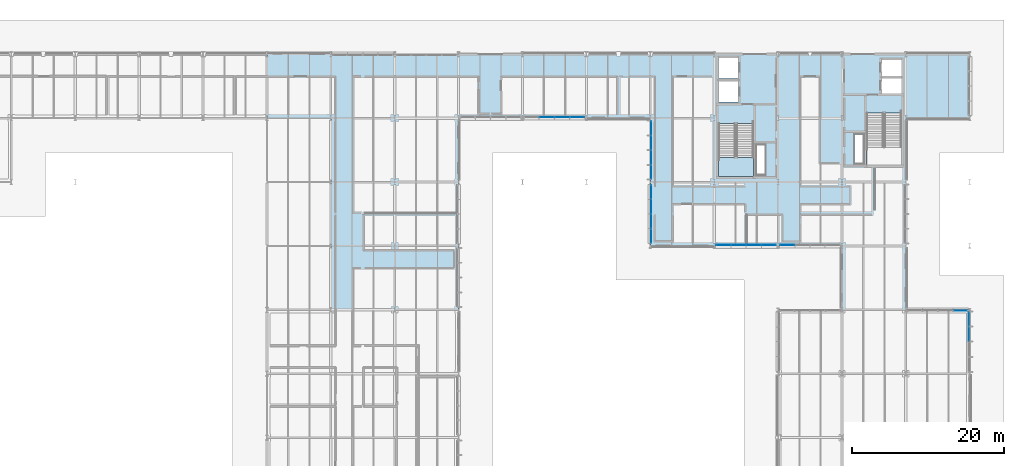
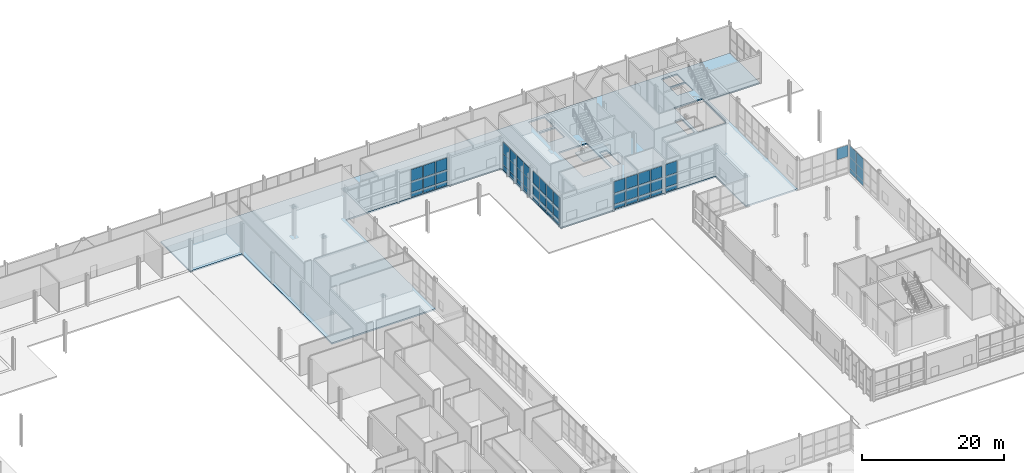
# One storey, part 79 of 124: 55 plates, 2 slabs, 8 elements without a shape of their own.
"""IFC4 building model written with IfcOpenShell, lengths in metres."""

import ifcopenshell
import ifcopenshell.guid

model = None  # the IFC model being written
_history = None  # IfcOwnerHistory: only IFC2X3 demands one
_inside = {}  # id of a spatial element -> (the spatial element, [elements in it])
_under = {}  # id of a project, library or spatial element -> (it, [spatial elements below it])
_declared = {}  # id of a project -> (the project, [libraries it declares])
_typed = {}  # id of a type object -> (the type object, [elements of that type])
_made_of = {}  # id of a material, layer set ... -> (it, [elements and type objects made of it])


def new_model(schema):
    """Start an empty IFC model of exactly this schema.

    Asked for "IFC4X3", IfcOpenShell would pick the latest addendum, in which some entities
    have other attributes; the version numbers below select the first issue.
    IFC2X3 requires an IfcOwnerHistory on every rooted entity: one is made here for all.
    """
    global model, _history
    if schema == "IFC4X3":
        model = ifcopenshell.file(schema_version=(4, 3, 0, 0))
    else:
        model = ifcopenshell.file(schema=schema)
    _inside.clear()
    _under.clear()
    _declared.clear()
    _typed.clear()
    _made_of.clear()
    _history = None
    if model.schema == "IFC2X3":
        org = make("IfcOrganization", Name="unknown")
        user = make(
            "IfcPersonAndOrganization",
            ThePerson=make("IfcPerson", FamilyName="unknown"),
            TheOrganization=org,
        )
        app = make(
            "IfcApplication",
            ApplicationDeveloper=org,
            Version="unknown",
            ApplicationFullName="unknown",
            ApplicationIdentifier="unknown",
        )
        _history = make(
            "IfcOwnerHistory",
            OwningUser=user,
            OwningApplication=app,
            ChangeAction="ADDED",
            CreationDate=0,
        )
    return model


def make(cls, **values):
    """One entity of the class cls with the attributes given. An attribute that is None is left unset."""
    return model.create_entity(
        cls, **{name: value for name, value in values.items() if value is not None}
    )


def rooted(cls, **values):
    """An entity with a GlobalId (a new one), such as an element, a storey or a relation."""
    return make(cls, GlobalId=ifcopenshell.guid.new(), OwnerHistory=_history, **values)


def si_unit(unit_type, name, prefix=None):
    """IfcSIUnit, for example si_unit("LENGTHUNIT", "METRE", prefix="MILLI")."""
    return make("IfcSIUnit", UnitType=unit_type, Prefix=prefix, Name=name)


def assignment(units):
    """IfcUnitAssignment: the units of a project."""
    return None if units is None else make("IfcUnitAssignment", Units=units)


def point(xyz):
    """IfcCartesianPoint."""
    return None if xyz is None else make("IfcCartesianPoint", Coordinates=xyz)


def direction(xyz):
    """IfcDirection."""
    return None if xyz is None else make("IfcDirection", DirectionRatios=xyz)


def frame(location, z_axis=None, x_axis=None):
    """IfcAxis2Placement3D, a coordinate frame: its origin and axes. An axis left out is left unset."""
    return make(
        "IfcAxis2Placement3D",
        Location=point(location),
        Axis=direction(z_axis),
        RefDirection=direction(x_axis),
    )


def frame_2d(location, x_axis=None):
    """IfcAxis2Placement2D, a coordinate frame in the plane: its origin and x axis."""
    return make(
        "IfcAxis2Placement2D", Location=point(location), RefDirection=direction(x_axis)
    )


def origin():
    """The frame at (0, 0, 0) with its axes left unset."""
    return frame((0.0, 0.0, 0.0))


def origin_2d():
    """The frame at (0, 0) in the plane with its x axis left unset."""
    return frame_2d((0.0, 0.0))


def place(relative_to, where):
    """IfcLocalPlacement: puts the frame where relative to a parent placement (None: the world)."""
    return make(
        "IfcLocalPlacement", PlacementRelTo=relative_to, RelativePlacement=where
    )


def context(
    kind, dimensions, precision=None, world=None, true_north=None, identifier=None
):
    """IfcGeometricRepresentationContext, for example the 3D "Model" context."""
    return make(
        "IfcGeometricRepresentationContext",
        ContextIdentifier=identifier,
        ContextType=kind,
        CoordinateSpaceDimension=dimensions,
        Precision=precision,
        WorldCoordinateSystem=world,
        TrueNorth=true_north,
    )


def subcontext(parent, identifier, kind, view, scale=None):
    """IfcGeometricRepresentationSubContext, for example "Body" below "Model"."""
    return make(
        "IfcGeometricRepresentationSubContext",
        ContextIdentifier=identifier,
        ContextType=kind,
        ParentContext=parent,
        TargetScale=scale,
        TargetView=view,
    )


def project(units=None, contexts=None):
    """IfcProject with its units and contexts."""
    return rooted(
        "IfcProject",
        Name="project",
        RepresentationContexts=contexts,
        UnitsInContext=assignment(units),
    )


def spatial(cls, under=None, at=None, **own):
    """A site, building, storey or space (cls), placed at a placement, below another one or the project."""
    s = rooted(cls, ObjectPlacement=at, **own)
    if under is not None:
        _under.setdefault(under.id(), (under, []))[1].append(s)
    return s


def polyline(points):
    """IfcPolyline through the points."""
    return make("IfcPolyline", Points=[point(p) for p in points])


def profile(cls, at=None, kind="AREA", **sizes):
    """A parametric profile (cls). Its sizes go by their IFC names, for example OverallWidth=200.0."""
    return make(cls, ProfileType=kind, Position=at, **sizes)


def rectangle(**sizes):
    """IfcRectangleProfileDef."""
    return profile("IfcRectangleProfileDef", **sizes)


def outline(outer, holes=None, kind="AREA"):
    """IfcArbitraryClosedProfileDef: a profile drawn as a closed curve; with holes, ...WithVoids."""
    if holes is None:
        return make("IfcArbitraryClosedProfileDef", ProfileType=kind, OuterCurve=outer)
    return make(
        "IfcArbitraryProfileDefWithVoids",
        ProfileType=kind,
        OuterCurve=outer,
        InnerCurves=holes,
    )


def extrude(swept, where, along, depth):
    """IfcExtrudedAreaSolid: the profile swept, set in the frame where, extruded along a direction by depth."""
    return make(
        "IfcExtrudedAreaSolid",
        SweptArea=swept,
        Position=where,
        ExtrudedDirection=direction(along),
        Depth=depth,
    )


def shape(context_of_items, identifier, shape_type, items):
    """IfcShapeRepresentation: the items that make up one representation, for example the "Body"."""
    return make(
        "IfcShapeRepresentation",
        ContextOfItems=context_of_items,
        RepresentationIdentifier=identifier,
        RepresentationType=shape_type,
        Items=items,
    )


def material(Name=None, Category=None):
    """IfcMaterial."""
    return make("IfcMaterial", Name=Name, Category=Category)


def layer(
    of_material, thickness, ventilated=None, Name=None, Category=None, Priority=None
):
    """IfcMaterialLayer: one layer of a wall or slab, of a material (None: an air gap)."""
    return make(
        "IfcMaterialLayer",
        Material=of_material,
        LayerThickness=thickness,
        IsVentilated=ventilated,
        Name=Name,
        Category=Category,
        Priority=Priority,
    )


def layer_set(layers, Name=None):
    """IfcMaterialLayerSet."""
    return make("IfcMaterialLayerSet", MaterialLayers=layers, LayerSetName=Name)


def made_of(thing, what):
    """Note that an element or type object is made of a material, layer set ...; save() writes the relation."""
    if what is not None:
        _made_of.setdefault(what.id(), (what, []))[1].append(thing)
    return thing


def type_object(cls, material=None, **own):
    """A type object (cls), such as IfcWallType, which elements share."""
    return made_of(rooted(cls, **own), material)


def element(
    cls,
    number,
    at=None,
    inside=None,
    cuts=None,
    type_object=None,
    material=None,
    context=None,
    identifier="Body",
    shape_type=None,
    held_by="IfcProductDefinitionShape",
    body=None,
    shapes=None,
    **own,
):
    """One element of the class cls, such as IfcWall. Its Tag is "e" and its number.

    at: its placement. inside: the storey or other place that contains it. cuts: it is an
    opening in that element (IfcRelVoidsElement). A single representation is given by context,
    identifier, shape_type and body (its items); several are given by shapes. held_by: the class
    of the entity that holds the representations. save() writes the other relations.
    """
    e = rooted(cls, Tag="e%d" % number, ObjectPlacement=at, **own)
    if body is not None:
        shapes = [shape(context, identifier, shape_type, body)]
    if shapes is not None:
        e.Representation = make(held_by, Representations=shapes)
    if inside is not None:
        _inside.setdefault(inside.id(), (inside, []))[1].append(e)
    if cuts is not None:
        rooted(
            "IfcRelVoidsElement", RelatingBuildingElement=cuts, RelatedOpeningElement=e
        )
    if type_object is not None:
        _typed.setdefault(type_object.id(), (type_object, []))[1].append(e)
    return made_of(e, material)


def aggregate(whole, parts):
    """IfcRelAggregates: a whole, such as a stair, and the parts it consists of."""
    return rooted("IfcRelAggregates", RelatingObject=whole, RelatedObjects=parts)


def save(model, path):
    """Write the relations noted so far, then the file.

    IfcRelAggregates (storeys below a building ...), IfcRelContainedInSpatialStructure (elements
    in a storey), IfcRelDefinesByType, IfcRelAssociatesMaterial and IfcRelDeclares: one each for
    every whole, place, type object, material and project.
    """
    for whole, parts in _under.values():
        aggregate(whole, parts)
    for where, things in _inside.values():
        rooted(
            "IfcRelContainedInSpatialStructure",
            RelatedElements=things,
            RelatingStructure=where,
        )
    for kind, things in _typed.values():
        rooted("IfcRelDefinesByType", RelatedObjects=things, RelatingType=kind)
    for what, things in _made_of.values():
        rooted("IfcRelAssociatesMaterial", RelatedObjects=things, RelatingMaterial=what)
    for by, libraries in _declared.values():
        rooted("IfcRelDeclares", RelatingContext=by, RelatedDefinitions=libraries)
    model.write(path)


model = new_model("IFC4")

# Units and contexts
model_context = context("Model", 3, precision=1e-05, world=origin(), true_north=direction((0.0, 1.0)))
body_context = subcontext(model_context, "Body", "Model", "MODEL_VIEW")
ifc_project = project(units=[si_unit("LENGTHUNIT", "METRE"), si_unit("AREAUNIT", "SQUARE_METRE"), si_unit("VOLUMEUNIT", "CUBIC_METRE"), si_unit("PLANEANGLEUNIT", "RADIAN"), si_unit("MASSUNIT", "GRAM", prefix="KILO")], contexts=[model_context])

# Site, building, storey
site_placement = place(None, origin())
site = spatial("IfcSite", under=ifc_project, at=site_placement, CompositionType="ELEMENT")
building_placement = place(site_placement, origin())
building = spatial("IfcBuilding", under=site, at=building_placement, Name="Mersafa Astral City Hall", CompositionType="ELEMENT")
storey_placement = place(building_placement, origin())
storey = spatial("IfcBuildingStorey", under=building, at=storey_placement, Name="L00", CompositionType="ELEMENT", Elevation=0.0)

# Curtain wall, plates
ifc_material_1 = material(Name="Anodised bronze aluminium framing", Category="aluminium")
curtain_wall_type_1 = type_object("IfcCurtainWallType", Name="ENV-CW-5", PredefinedType="USERDEFINED", material=ifc_material_1)
curtain_wall_1_placement = place(storey_placement, origin())
curtain_wall_1 = element("IfcCurtainWall", 1, at=curtain_wall_1_placement, inside=storey, type_object=curtain_wall_type_1, Name="L00 Unitised solar curtain wall 16", ObjectType="UNITISED CURTAIN WALL", PredefinedType="USERDEFINED")
ifc_material_2 = material(Name="Solar control low-e double glazing", Category="glass")
ifc_layer_1 = layer(ifc_material_2, 0.028076171875, Name="Solar control low-e double glazing")
ifc_layer_set_1 = layer_set([ifc_layer_1], Name="Solar control low-e double glazing — ENV-CW-PNL-GLZ-1")
plate_type_1 = type_object("IfcPlateType", Name="ENV-CW-PNL-GLZ-1", PredefinedType="CURTAIN_PANEL", material=ifc_layer_set_1)
plate_1_placement = place(storey_placement, frame((142.919921875, 116.285888671875, 0.05810546875), z_axis=(0.0, 0.0, 1.0), x_axis=(0.0, -1.0, 0.0)))
plate_1 = element("IfcPlate", 2, at=plate_1_placement, type_object=plate_type_1, Name="CW-5 panel 1.1", PredefinedType="CURTAIN_PANEL", context=body_context, shape_type="SweptSolid", body=[
    extrude(rectangle(XDim=1.763916015625, YDim=0.028076171875, at=origin_2d()), origin(), (0.0, 0.0, 1.0), 0.761962890625),
])
plate_2_placement = place(storey_placement, frame((142.919921875, 116.285888671875, 0.8798828125), z_axis=(0.0, 0.0, 1.0), x_axis=(0.0, -1.0, 0.0)))
plate_2 = element("IfcPlate", 3, at=plate_2_placement, type_object=plate_type_1, Name="CW-5 panel 1.2", PredefinedType="CURTAIN_PANEL", context=body_context, shape_type="SweptSolid", body=[
    extrude(rectangle(XDim=1.763916015625, YDim=0.028076171875, at=origin_2d()), origin(), (0.0, 0.0, 1.0), 1.840087890625),
])
plate_3_placement = place(storey_placement, frame((142.919921875, 116.285888671875, 2.7802734375), z_axis=(0.0, 0.0, 1.0), x_axis=(0.0, -1.0, 0.0)))
plate_3 = element("IfcPlate", 4, at=plate_3_placement, type_object=plate_type_1, Name="CW-5 panel 1.3", PredefinedType="CURTAIN_PANEL", context=body_context, shape_type="SweptSolid", body=[
    extrude(rectangle(XDim=1.763916015625, YDim=0.028076171875, at=origin_2d()), origin(), (0.0, 0.0, 1.0), 1.971923828125),
])
plate_4_placement = place(storey_placement, frame((142.919921875, 114.3720703125, 0.05810546875), z_axis=(0.0, 0.0, 1.0), x_axis=(0.0, -1.0, 0.0)))
plate_4 = element("IfcPlate", 5, at=plate_4_placement, type_object=plate_type_1, Name="CW-5 panel 2.1", PredefinedType="CURTAIN_PANEL", context=body_context, shape_type="SweptSolid", body=[
    extrude(rectangle(XDim=1.823974609375, YDim=0.028076171875, at=origin_2d()), origin(), (0.0, 0.0, 1.0), 0.761962890625),
])
plate_5_placement = place(storey_placement, frame((142.919921875, 114.3720703125, 0.8798828125), z_axis=(0.0, 0.0, 1.0), x_axis=(0.0, -1.0, 0.0)))
plate_5 = element("IfcPlate", 6, at=plate_5_placement, type_object=plate_type_1, Name="CW-5 panel 2.2", PredefinedType="CURTAIN_PANEL", context=body_context, shape_type="SweptSolid", body=[
    extrude(rectangle(XDim=1.823974609375, YDim=0.028076171875, at=origin_2d()), origin(), (0.0, 0.0, 1.0), 1.840087890625),
])
plate_6_placement = place(storey_placement, frame((142.919921875, 114.3720703125, 2.7802734375), z_axis=(0.0, 0.0, 1.0), x_axis=(0.0, -1.0, 0.0)))
plate_6 = element("IfcPlate", 7, at=plate_6_placement, type_object=plate_type_1, Name="CW-5 panel 2.3", PredefinedType="CURTAIN_PANEL", context=body_context, shape_type="SweptSolid", body=[
    extrude(rectangle(XDim=1.823974609375, YDim=0.028076171875, at=origin_2d()), origin(), (0.0, 0.0, 1.0), 1.971923828125),
])
plate_7_placement = place(storey_placement, frame((142.919921875, 112.427978515625, 0.05810546875), z_axis=(0.0, 0.0, 1.0), x_axis=(0.0, -1.0, 0.0)))
plate_7 = element("IfcPlate", 8, at=plate_7_placement, type_object=plate_type_1, Name="CW-5 panel 3.1", PredefinedType="CURTAIN_PANEL", context=body_context, shape_type="SweptSolid", body=[
    extrude(rectangle(XDim=1.823974609375, YDim=0.028076171875, at=origin_2d()), origin(), (0.0, 0.0, 1.0), 0.761962890625),
])
plate_8_placement = place(storey_placement, frame((142.919921875, 112.427978515625, 0.8798828125), z_axis=(0.0, 0.0, 1.0), x_axis=(0.0, -1.0, 0.0)))
plate_8 = element("IfcPlate", 9, at=plate_8_placement, type_object=plate_type_1, Name="CW-5 panel 3.2", PredefinedType="CURTAIN_PANEL", context=body_context, shape_type="SweptSolid", body=[
    extrude(rectangle(XDim=1.823974609375, YDim=0.028076171875, at=origin_2d()), origin(), (0.0, 0.0, 1.0), 1.840087890625),
])
plate_9_placement = place(storey_placement, frame((142.919921875, 112.427978515625, 2.7802734375), z_axis=(0.0, 0.0, 1.0), x_axis=(0.0, -1.0, 0.0)))
plate_9 = element("IfcPlate", 10, at=plate_9_placement, type_object=plate_type_1, Name="CW-5 panel 3.3", PredefinedType="CURTAIN_PANEL", context=body_context, shape_type="SweptSolid", body=[
    extrude(rectangle(XDim=1.823974609375, YDim=0.028076171875, at=origin_2d()), origin(), (0.0, 0.0, 1.0), 1.971923828125),
])
plate_10_placement = place(storey_placement, frame((142.919921875, 110.513916015625, 0.05810546875), z_axis=(0.0, 0.0, 1.0), x_axis=(0.0, -1.0, 0.0)))
plate_10 = element("IfcPlate", 11, at=plate_10_placement, type_object=plate_type_1, Name="CW-5 panel 4.1", PredefinedType="CURTAIN_PANEL", context=body_context, shape_type="SweptSolid", body=[
    extrude(rectangle(XDim=1.763916015625, YDim=0.028076171875, at=origin_2d()), origin(), (0.0, 0.0, 1.0), 0.761962890625),
])
plate_11_placement = place(storey_placement, frame((142.919921875, 110.513916015625, 0.8798828125), z_axis=(0.0, 0.0, 1.0), x_axis=(0.0, -1.0, 0.0)))
plate_11 = element("IfcPlate", 12, at=plate_11_placement, type_object=plate_type_1, Name="CW-5 panel 4.2", PredefinedType="CURTAIN_PANEL", context=body_context, shape_type="SweptSolid", body=[
    extrude(rectangle(XDim=1.763916015625, YDim=0.028076171875, at=origin_2d()), origin(), (0.0, 0.0, 1.0), 1.840087890625),
])
plate_12_placement = place(storey_placement, frame((142.919921875, 110.513916015625, 2.7802734375), z_axis=(0.0, 0.0, 1.0), x_axis=(0.0, -1.0, 0.0)))
plate_12 = element("IfcPlate", 13, at=plate_12_placement, type_object=plate_type_1, Name="CW-5 panel 4.3", PredefinedType="CURTAIN_PANEL", context=body_context, shape_type="SweptSolid", body=[
    extrude(rectangle(XDim=1.763916015625, YDim=0.028076171875, at=origin_2d()), origin(), (0.0, 0.0, 1.0), 1.971923828125),
])
aggregate(curtain_wall_1, [plate_1, plate_2, plate_3, plate_4, plate_5, plate_6, plate_7, plate_8, plate_9, plate_10, plate_11, plate_12])

curtain_wall_2_placement = place(storey_placement, origin())
curtain_wall_2 = element("IfcCurtainWall", 14, at=curtain_wall_2_placement, inside=storey, type_object=curtain_wall_type_1, Name="L00 Unitised solar curtain wall 28", ObjectType="UNITISED CURTAIN WALL", PredefinedType="USERDEFINED")
plate_13_placement = place(storey_placement, frame((184.679931640625, 89.208251953125, 0.05810546875), z_axis=(0.0, 0.0, 1.0), x_axis=(0.0, 1.0, 0.0)))
plate_13 = element("IfcPlate", 15, at=plate_13_placement, type_object=plate_type_1, Name="CW-5 panel 3.1", PredefinedType="CURTAIN_PANEL", context=body_context, shape_type="SweptSolid", body=[
    extrude(rectangle(XDim=1.886474609375, YDim=0.028076171875, at=origin_2d()), origin(), (0.0, 0.0, 1.0), 0.761962890625),
])
plate_14_placement = place(storey_placement, frame((184.679931640625, 89.208251953125, 0.8798828125), z_axis=(0.0, 0.0, 1.0), x_axis=(0.0, 1.0, 0.0)))
plate_14 = element("IfcPlate", 16, at=plate_14_placement, type_object=plate_type_1, Name="CW-5 panel 3.2", PredefinedType="CURTAIN_PANEL", context=body_context, shape_type="SweptSolid", body=[
    extrude(rectangle(XDim=1.886474609375, YDim=0.028076171875, at=origin_2d()), origin(), (0.0, 0.0, 1.0), 1.840087890625),
])
plate_15_placement = place(storey_placement, frame((184.679931640625, 89.208251953125, 2.7802734375), z_axis=(0.0, 0.0, 1.0), x_axis=(0.0, 1.0, 0.0)))
plate_15 = element("IfcPlate", 17, at=plate_15_placement, type_object=plate_type_1, Name="CW-5 panel 3.3", PredefinedType="CURTAIN_PANEL", context=body_context, shape_type="SweptSolid", body=[
    extrude(rectangle(XDim=1.886474609375, YDim=0.028076171875, at=origin_2d()), origin(), (0.0, 0.0, 1.0), 1.971923828125),
])
plate_16_placement = place(storey_placement, frame((184.679931640625, 91.184814453125, 0.05810546875), z_axis=(0.0, 0.0, 1.0), x_axis=(0.0, 1.0, 0.0)))
plate_16 = element("IfcPlate", 18, at=plate_16_placement, type_object=plate_type_1, Name="CW-5 panel 4.1", PredefinedType="CURTAIN_PANEL", context=body_context, shape_type="SweptSolid", body=[
    extrude(rectangle(XDim=1.826416015625, YDim=0.028076171875, at=origin_2d()), origin(), (0.0, 0.0, 1.0), 0.761962890625),
])
plate_17_placement = place(storey_placement, frame((184.679931640625, 91.184814453125, 0.8798828125), z_axis=(0.0, 0.0, 1.0), x_axis=(0.0, 1.0, 0.0)))
plate_17 = element("IfcPlate", 19, at=plate_17_placement, type_object=plate_type_1, Name="CW-5 panel 4.2", PredefinedType="CURTAIN_PANEL", context=body_context, shape_type="SweptSolid", body=[
    extrude(rectangle(XDim=1.826416015625, YDim=0.028076171875, at=origin_2d()), origin(), (0.0, 0.0, 1.0), 1.840087890625),
])
plate_18_placement = place(storey_placement, frame((184.679931640625, 91.184814453125, 2.7802734375), z_axis=(0.0, 0.0, 1.0), x_axis=(0.0, 1.0, 0.0)))
plate_18 = element("IfcPlate", 20, at=plate_18_placement, type_object=plate_type_1, Name="CW-5 panel 4.3", PredefinedType="CURTAIN_PANEL", context=body_context, shape_type="SweptSolid", body=[
    extrude(rectangle(XDim=1.826416015625, YDim=0.028076171875, at=origin_2d()), origin(), (0.0, 0.0, 1.0), 1.971923828125),
])
aggregate(curtain_wall_2, [plate_13, plate_14, plate_15, plate_16, plate_17, plate_18])

curtain_wall_type_2 = type_object("IfcCurtainWallType", Name="ENV-CW-6", PredefinedType="USERDEFINED", material=ifc_material_1)
curtain_wall_3_placement = place(storey_placement, origin())
curtain_wall_3 = element("IfcCurtainWall", 21, at=curtain_wall_3_placement, inside=storey, type_object=curtain_wall_type_2, Name="L00 Unitised solar curtain wall 17", ObjectType="UNITISED CURTAIN WALL", PredefinedType="USERDEFINED")
ifc_layer_2 = layer(ifc_material_2, 0.031982421875, Name="Solar control low-e double glazing")
ifc_layer_set_2 = layer_set([ifc_layer_2], Name="Solar control low-e double glazing — ENV-CW-PNL-GLZ-2")
plate_type_2 = type_object("IfcPlateType", Name="ENV-CW-PNL-GLZ-2", PredefinedType="CURTAIN_PANEL", material=ifc_layer_set_2)
plate_19_placement = place(storey_placement, frame((142.919921875, 107.885986328125, 0.05810546875), z_axis=(0.0, 0.0, 1.0), x_axis=(0.0, -1.0, 0.0)))
plate_19 = element("IfcPlate", 22, at=plate_19_placement, type_object=plate_type_2, Name="CW-6 panel 1.1", PredefinedType="CURTAIN_PANEL", context=body_context, shape_type="SweptSolid", body=[
    extrude(rectangle(XDim=1.763916015625, YDim=0.031982421875, at=origin_2d()), origin(), (0.0, 0.0, 1.0), 0.761962890625),
])
plate_20_placement = place(storey_placement, frame((142.919921875, 107.885986328125, 0.8798828125), z_axis=(0.0, 0.0, 1.0), x_axis=(0.0, -1.0, 0.0)))
plate_20 = element("IfcPlate", 23, at=plate_20_placement, type_object=plate_type_2, Name="CW-6 panel 1.2", PredefinedType="CURTAIN_PANEL", context=body_context, shape_type="SweptSolid", body=[
    extrude(rectangle(XDim=1.763916015625, YDim=0.031982421875, at=origin_2d()), origin(), (0.0, 0.0, 1.0), 1.840087890625),
])
plate_21_placement = place(storey_placement, frame((142.919921875, 107.885986328125, 2.780029296875), z_axis=(0.0, 0.0, 1.0), x_axis=(0.0, -1.0, 0.0)))
plate_21 = element("IfcPlate", 24, at=plate_21_placement, type_object=plate_type_2, Name="CW-6 panel 1.3", PredefinedType="CURTAIN_PANEL", context=body_context, shape_type="SweptSolid", body=[
    extrude(rectangle(XDim=1.763916015625, YDim=0.031982421875, at=origin_2d()), origin(), (0.0, 0.0, 1.0), 2.06201171875),
])
plate_22_placement = place(storey_placement, frame((142.919921875, 105.971923828125, 0.05810546875), z_axis=(0.0, 0.0, 1.0), x_axis=(0.0, -1.0, 0.0)))
plate_22 = element("IfcPlate", 25, at=plate_22_placement, type_object=plate_type_2, Name="CW-6 panel 2.1", PredefinedType="CURTAIN_PANEL", context=body_context, shape_type="SweptSolid", body=[
    extrude(rectangle(XDim=1.823974609375, YDim=0.031982421875, at=origin_2d()), origin(), (0.0, 0.0, 1.0), 0.761962890625),
])
plate_23_placement = place(storey_placement, frame((142.919921875, 105.971923828125, 0.8798828125), z_axis=(0.0, 0.0, 1.0), x_axis=(0.0, -1.0, 0.0)))
plate_23 = element("IfcPlate", 26, at=plate_23_placement, type_object=plate_type_2, Name="CW-6 panel 2.2", PredefinedType="CURTAIN_PANEL", context=body_context, shape_type="SweptSolid", body=[
    extrude(rectangle(XDim=1.823974609375, YDim=0.031982421875, at=origin_2d()), origin(), (0.0, 0.0, 1.0), 1.840087890625),
])
plate_24_placement = place(storey_placement, frame((142.919921875, 105.971923828125, 2.780029296875), z_axis=(0.0, 0.0, 1.0), x_axis=(0.0, -1.0, 0.0)))
plate_24 = element("IfcPlate", 27, at=plate_24_placement, type_object=plate_type_2, Name="CW-6 panel 2.3", PredefinedType="CURTAIN_PANEL", context=body_context, shape_type="SweptSolid", body=[
    extrude(rectangle(XDim=1.823974609375, YDim=0.031982421875, at=origin_2d()), origin(), (0.0, 0.0, 1.0), 2.06201171875),
])
plate_25_placement = place(storey_placement, frame((142.919921875, 104.028076171875, 0.05810546875), z_axis=(0.0, 0.0, 1.0), x_axis=(0.0, -1.0, 0.0)))
plate_25 = element("IfcPlate", 28, at=plate_25_placement, type_object=plate_type_2, Name="CW-6 panel 3.1", PredefinedType="CURTAIN_PANEL", context=body_context, shape_type="SweptSolid", body=[
    extrude(rectangle(XDim=1.823974609375, YDim=0.031982421875, at=origin_2d()), origin(), (0.0, 0.0, 1.0), 0.761962890625),
])
plate_26_placement = place(storey_placement, frame((142.919921875, 104.028076171875, 0.8798828125), z_axis=(0.0, 0.0, 1.0), x_axis=(0.0, -1.0, 0.0)))
plate_26 = element("IfcPlate", 29, at=plate_26_placement, type_object=plate_type_2, Name="CW-6 panel 3.2", PredefinedType="CURTAIN_PANEL", context=body_context, shape_type="SweptSolid", body=[
    extrude(rectangle(XDim=1.823974609375, YDim=0.031982421875, at=origin_2d()), origin(), (0.0, 0.0, 1.0), 1.840087890625),
])
plate_27_placement = place(storey_placement, frame((142.919921875, 104.028076171875, 2.780029296875), z_axis=(0.0, 0.0, 1.0), x_axis=(0.0, -1.0, 0.0)))
plate_27 = element("IfcPlate", 30, at=plate_27_placement, type_object=plate_type_2, Name="CW-6 panel 3.3", PredefinedType="CURTAIN_PANEL", context=body_context, shape_type="SweptSolid", body=[
    extrude(rectangle(XDim=1.823974609375, YDim=0.031982421875, at=origin_2d()), origin(), (0.0, 0.0, 1.0), 2.06201171875),
])
plate_28_placement = place(storey_placement, frame((142.919921875, 102.114013671875, 0.05810546875), z_axis=(0.0, 0.0, 1.0), x_axis=(0.0, -1.0, 0.0)))
plate_28 = element("IfcPlate", 31, at=plate_28_placement, type_object=plate_type_2, Name="CW-6 panel 4.1", PredefinedType="CURTAIN_PANEL", context=body_context, shape_type="SweptSolid", body=[
    extrude(rectangle(XDim=1.763916015625, YDim=0.031982421875, at=origin_2d()), origin(), (0.0, 0.0, 1.0), 0.761962890625),
])
plate_29_placement = place(storey_placement, frame((142.919921875, 102.114013671875, 0.8798828125), z_axis=(0.0, 0.0, 1.0), x_axis=(0.0, -1.0, 0.0)))
plate_29 = element("IfcPlate", 32, at=plate_29_placement, type_object=plate_type_2, Name="CW-6 panel 4.2", PredefinedType="CURTAIN_PANEL", context=body_context, shape_type="SweptSolid", body=[
    extrude(rectangle(XDim=1.763916015625, YDim=0.031982421875, at=origin_2d()), origin(), (0.0, 0.0, 1.0), 1.840087890625),
])
plate_30_placement = place(storey_placement, frame((142.919921875, 102.114013671875, 2.780029296875), z_axis=(0.0, 0.0, 1.0), x_axis=(0.0, -1.0, 0.0)))
plate_30 = element("IfcPlate", 33, at=plate_30_placement, type_object=plate_type_2, Name="CW-6 panel 4.3", PredefinedType="CURTAIN_PANEL", context=body_context, shape_type="SweptSolid", body=[
    extrude(rectangle(XDim=1.763916015625, YDim=0.031982421875, at=origin_2d()), origin(), (0.0, 0.0, 1.0), 2.06201171875),
])
aggregate(curtain_wall_3, [plate_19, plate_20, plate_21, plate_22, plate_23, plate_24, plate_25, plate_26, plate_27, plate_28, plate_29, plate_30])

# Curtain wall, plate
curtain_wall_4_placement = place(storey_placement, origin())
curtain_wall_4 = element("IfcCurtainWall", 34, at=curtain_wall_4_placement, inside=storey, type_object=curtain_wall_type_2, Name="L00 Unitised solar curtain wall 29", ObjectType="UNITISED CURTAIN WALL", PredefinedType="USERDEFINED")
plate_31_placement = place(storey_placement, frame((183.598388671875, 92.280029296875, 2.7802734375), z_axis=(0.0, 0.0, 1.0), x_axis=(-1.0, 0.0, 0.0)))
plate_31 = element("IfcPlate", 35, at=plate_31_placement, type_object=plate_type_2, Name="CW-6 panel 1.3", PredefinedType="CURTAIN_PANEL", context=body_context, shape_type="SweptSolid", body=[
    extrude(rectangle(XDim=1.839111328125, YDim=0.031982421875, at=origin_2d()), origin(), (0.0, 0.0, 1.0), 1.971923828125),
])
aggregate(curtain_wall_4, [plate_31])

# Curtain wall, plates
curtain_wall_type_3 = type_object("IfcCurtainWallType", Name="ENV-CW-1", PredefinedType="USERDEFINED", material=ifc_material_1)
curtain_wall_5_placement = place(storey_placement, origin())
curtain_wall_5 = element("IfcCurtainWall", 36, at=curtain_wall_5_placement, inside=storey, type_object=curtain_wall_type_3, Name="L00 Unitised solar curtain wall 18", ObjectType="UNITISED CURTAIN WALL", PredefinedType="USERDEFINED")
ifc_layer_3 = layer(ifc_material_2, 0.035888671875, Name="Solar control low-e double glazing")
ifc_layer_set_3 = layer_set([ifc_layer_3], Name="Solar control low-e double glazing — ENV-CW-PNL-GLZ-3")
plate_type_3 = type_object("IfcPlateType", Name="ENV-CW-PNL-GLZ-3", PredefinedType="CURTAIN_PANEL", material=ifc_layer_set_3)
plate_32_placement = place(storey_placement, frame((152.401611328125, 100.919921875, 0.05810546875), z_axis=(0.0, 0.0, 1.0), x_axis=(1.0, 0.0, 0.0)))
plate_32 = element("IfcPlate", 37, at=plate_32_placement, type_object=plate_type_3, Name="CW-1 panel 1.1", PredefinedType="CURTAIN_PANEL", context=body_context, shape_type="SweptSolid", body=[
    extrude(rectangle(XDim=1.839111328125, YDim=0.035888671875, at=origin_2d()), origin(), (0.0, 0.0, 1.0), 0.761962890625),
])
plate_33_placement = place(storey_placement, frame((152.401611328125, 100.919921875, 0.8798828125), z_axis=(0.0, 0.0, 1.0), x_axis=(1.0, 0.0, 0.0)))
plate_33 = element("IfcPlate", 38, at=plate_33_placement, type_object=plate_type_3, Name="CW-1 panel 1.2", PredefinedType="CURTAIN_PANEL", context=body_context, shape_type="SweptSolid", body=[
    extrude(rectangle(XDim=1.839111328125, YDim=0.035888671875, at=origin_2d()), origin(), (0.0, 0.0, 1.0), 1.840087890625),
])
plate_34_placement = place(storey_placement, frame((152.401611328125, 100.919921875, 2.7802734375), z_axis=(0.0, 0.0, 1.0), x_axis=(1.0, 0.0, 0.0)))
plate_34 = element("IfcPlate", 39, at=plate_34_placement, type_object=plate_type_3, Name="CW-1 panel 1.3", PredefinedType="CURTAIN_PANEL", context=body_context, shape_type="SweptSolid", body=[
    extrude(rectangle(XDim=1.839111328125, YDim=0.035888671875, at=origin_2d()), origin(), (0.0, 0.0, 1.0), 1.971923828125),
])
plate_35_placement = place(storey_placement, frame((154.390380859375, 100.919921875, 0.05810546875), z_axis=(0.0, 0.0, 1.0), x_axis=(1.0, 0.0, 0.0)))
plate_35 = element("IfcPlate", 40, at=plate_35_placement, type_object=plate_type_3, Name="CW-1 panel 2.1", PredefinedType="CURTAIN_PANEL", context=body_context, shape_type="SweptSolid", body=[
    extrude(rectangle(XDim=1.89892578125, YDim=0.035888671875, at=origin_2d()), origin(), (0.0, 0.0, 1.0), 0.761962890625),
])
plate_36_placement = place(storey_placement, frame((154.390380859375, 100.919921875, 0.8798828125), z_axis=(0.0, 0.0, 1.0), x_axis=(1.0, 0.0, 0.0)))
plate_36 = element("IfcPlate", 41, at=plate_36_placement, type_object=plate_type_3, Name="CW-1 panel 2.2", PredefinedType="CURTAIN_PANEL", context=body_context, shape_type="SweptSolid", body=[
    extrude(rectangle(XDim=1.89892578125, YDim=0.035888671875, at=origin_2d()), origin(), (0.0, 0.0, 1.0), 1.840087890625),
])
plate_37_placement = place(storey_placement, frame((154.390380859375, 100.919921875, 2.7802734375), z_axis=(0.0, 0.0, 1.0), x_axis=(1.0, 0.0, 0.0)))
plate_37 = element("IfcPlate", 42, at=plate_37_placement, type_object=plate_type_3, Name="CW-1 panel 2.3", PredefinedType="CURTAIN_PANEL", context=body_context, shape_type="SweptSolid", body=[
    extrude(rectangle(XDim=1.89892578125, YDim=0.035888671875, at=origin_2d()), origin(), (0.0, 0.0, 1.0), 1.971923828125),
])
plate_38_placement = place(storey_placement, frame((156.409423828125, 100.919921875, 0.05810546875), z_axis=(0.0, 0.0, 1.0), x_axis=(1.0, 0.0, 0.0)))
plate_38 = element("IfcPlate", 43, at=plate_38_placement, type_object=plate_type_3, Name="CW-1 panel 3.1", PredefinedType="CURTAIN_PANEL", context=body_context, shape_type="SweptSolid", body=[
    extrude(rectangle(XDim=1.89892578125, YDim=0.035888671875, at=origin_2d()), origin(), (0.0, 0.0, 1.0), 0.761962890625),
])
plate_39_placement = place(storey_placement, frame((156.409423828125, 100.919921875, 0.8798828125), z_axis=(0.0, 0.0, 1.0), x_axis=(1.0, 0.0, 0.0)))
plate_39 = element("IfcPlate", 44, at=plate_39_placement, type_object=plate_type_3, Name="CW-1 panel 3.2", PredefinedType="CURTAIN_PANEL", context=body_context, shape_type="SweptSolid", body=[
    extrude(rectangle(XDim=1.89892578125, YDim=0.035888671875, at=origin_2d()), origin(), (0.0, 0.0, 1.0), 1.840087890625),
])
plate_40_placement = place(storey_placement, frame((156.409423828125, 100.919921875, 2.7802734375), z_axis=(0.0, 0.0, 1.0), x_axis=(1.0, 0.0, 0.0)))
plate_40 = element("IfcPlate", 45, at=plate_40_placement, type_object=plate_type_3, Name="CW-1 panel 3.3", PredefinedType="CURTAIN_PANEL", context=body_context, shape_type="SweptSolid", body=[
    extrude(rectangle(XDim=1.89892578125, YDim=0.035888671875, at=origin_2d()), origin(), (0.0, 0.0, 1.0), 1.971923828125),
])
plate_41_placement = place(storey_placement, frame((158.3984375, 100.919921875, 0.05810546875), z_axis=(0.0, 0.0, 1.0), x_axis=(1.0, 0.0, 0.0)))
plate_41 = element("IfcPlate", 46, at=plate_41_placement, type_object=plate_type_3, Name="CW-1 panel 4.1", PredefinedType="CURTAIN_PANEL", context=body_context, shape_type="SweptSolid", body=[
    extrude(rectangle(XDim=1.839111328125, YDim=0.035888671875, at=origin_2d()), origin(), (0.0, 0.0, 1.0), 0.761962890625),
])
plate_42_placement = place(storey_placement, frame((158.3984375, 100.919921875, 0.8798828125), z_axis=(0.0, 0.0, 1.0), x_axis=(1.0, 0.0, 0.0)))
plate_42 = element("IfcPlate", 47, at=plate_42_placement, type_object=plate_type_3, Name="CW-1 panel 4.2", PredefinedType="CURTAIN_PANEL", context=body_context, shape_type="SweptSolid", body=[
    extrude(rectangle(XDim=1.839111328125, YDim=0.035888671875, at=origin_2d()), origin(), (0.0, 0.0, 1.0), 1.840087890625),
])
plate_43_placement = place(storey_placement, frame((158.3984375, 100.919921875, 2.7802734375), z_axis=(0.0, 0.0, 1.0), x_axis=(1.0, 0.0, 0.0)))
plate_43 = element("IfcPlate", 48, at=plate_43_placement, type_object=plate_type_3, Name="CW-1 panel 4.3", PredefinedType="CURTAIN_PANEL", context=body_context, shape_type="SweptSolid", body=[
    extrude(rectangle(XDim=1.839111328125, YDim=0.035888671875, at=origin_2d()), origin(), (0.0, 0.0, 1.0), 1.971923828125),
])
aggregate(curtain_wall_5, [plate_32, plate_33, plate_34, plate_35, plate_36, plate_37, plate_38, plate_39, plate_40, plate_41, plate_42, plate_43])

curtain_wall_type_4 = type_object("IfcCurtainWallType", Name="ENV-CW-4", PredefinedType="USERDEFINED", material=ifc_material_1)
curtain_wall_6_placement = place(storey_placement, origin())
curtain_wall_6 = element("IfcCurtainWall", 49, at=curtain_wall_6_placement, inside=storey, type_object=curtain_wall_type_4, Name="L00 Unitised solar curtain wall 15", ObjectType="UNITISED CURTAIN WALL", PredefinedType="USERDEFINED")
ifc_layer_4 = layer(ifc_material_2, 0.0400390625, Name="Solar control low-e double glazing")
ifc_layer_set_4 = layer_set([ifc_layer_4], Name="Solar control low-e double glazing — ENV-CW-PNL-GLZ-4")
plate_type_4 = type_object("IfcPlateType", Name="ENV-CW-PNL-GLZ-4", PredefinedType="CURTAIN_PANEL", material=ifc_layer_set_4)
plate_44_placement = place(storey_placement, frame((129.1904296875, 117.719970703125, 0.05810546875), z_axis=(0.0, 0.0, 1.0), x_axis=(1.0, 0.0, 0.0)))
plate_44 = element("IfcPlate", 50, at=plate_44_placement, type_object=plate_type_4, Name="CW-4 panel 2.1", PredefinedType="CURTAIN_PANEL", context=body_context, shape_type="SweptSolid", body=[
    extrude(rectangle(XDim=1.89892578125, YDim=0.0400390625, at=origin_2d()), origin(), (0.0, 0.0, 1.0), 0.761962890625),
])
plate_45_placement = place(storey_placement, frame((129.1904296875, 117.719970703125, 0.8798828125), z_axis=(0.0, 0.0, 1.0), x_axis=(1.0, 0.0, 0.0)))
plate_45 = element("IfcPlate", 51, at=plate_45_placement, type_object=plate_type_4, Name="CW-4 panel 2.2", PredefinedType="CURTAIN_PANEL", context=body_context, shape_type="SweptSolid", body=[
    extrude(rectangle(XDim=1.89892578125, YDim=0.0400390625, at=origin_2d()), origin(), (0.0, 0.0, 1.0), 1.840087890625),
])
plate_46_placement = place(storey_placement, frame((129.1904296875, 117.719970703125, 2.780029296875), z_axis=(0.0, 0.0, 1.0), x_axis=(1.0, 0.0, 0.0)))
plate_46 = element("IfcPlate", 52, at=plate_46_placement, type_object=plate_type_4, Name="CW-4 panel 2.3", PredefinedType="CURTAIN_PANEL", context=body_context, shape_type="SweptSolid", body=[
    extrude(rectangle(XDim=1.89892578125, YDim=0.0400390625, at=origin_2d()), origin(), (0.0, 0.0, 1.0), 2.001953125),
])
plate_47_placement = place(storey_placement, frame((131.20947265625, 117.719970703125, 0.05810546875), z_axis=(0.0, 0.0, 1.0), x_axis=(1.0, 0.0, 0.0)))
plate_47 = element("IfcPlate", 53, at=plate_47_placement, type_object=plate_type_4, Name="CW-4 panel 3.1", PredefinedType="CURTAIN_PANEL", context=body_context, shape_type="SweptSolid", body=[
    extrude(rectangle(XDim=1.89892578125, YDim=0.0400390625, at=origin_2d()), origin(), (0.0, 0.0, 1.0), 0.761962890625),
])
plate_48_placement = place(storey_placement, frame((131.20947265625, 117.719970703125, 0.8798828125), z_axis=(0.0, 0.0, 1.0), x_axis=(1.0, 0.0, 0.0)))
plate_48 = element("IfcPlate", 54, at=plate_48_placement, type_object=plate_type_4, Name="CW-4 panel 3.2", PredefinedType="CURTAIN_PANEL", context=body_context, shape_type="SweptSolid", body=[
    extrude(rectangle(XDim=1.89892578125, YDim=0.0400390625, at=origin_2d()), origin(), (0.0, 0.0, 1.0), 1.840087890625),
])
plate_49_placement = place(storey_placement, frame((131.20947265625, 117.719970703125, 2.780029296875), z_axis=(0.0, 0.0, 1.0), x_axis=(1.0, 0.0, 0.0)))
plate_49 = element("IfcPlate", 55, at=plate_49_placement, type_object=plate_type_4, Name="CW-4 panel 3.3", PredefinedType="CURTAIN_PANEL", context=body_context, shape_type="SweptSolid", body=[
    extrude(rectangle(XDim=1.89892578125, YDim=0.0400390625, at=origin_2d()), origin(), (0.0, 0.0, 1.0), 2.001953125),
])
plate_50_placement = place(storey_placement, frame((133.198486328125, 117.719970703125, 0.05810546875), z_axis=(0.0, 0.0, 1.0), x_axis=(1.0, 0.0, 0.0)))
plate_50 = element("IfcPlate", 56, at=plate_50_placement, type_object=plate_type_4, Name="CW-4 panel 4.1", PredefinedType="CURTAIN_PANEL", context=body_context, shape_type="SweptSolid", body=[
    extrude(rectangle(XDim=1.839111328125, YDim=0.0400390625, at=origin_2d()), origin(), (0.0, 0.0, 1.0), 0.761962890625),
])
plate_51_placement = place(storey_placement, frame((133.198486328125, 117.719970703125, 0.8798828125), z_axis=(0.0, 0.0, 1.0), x_axis=(1.0, 0.0, 0.0)))
plate_51 = element("IfcPlate", 57, at=plate_51_placement, type_object=plate_type_4, Name="CW-4 panel 4.2", PredefinedType="CURTAIN_PANEL", context=body_context, shape_type="SweptSolid", body=[
    extrude(rectangle(XDim=1.839111328125, YDim=0.0400390625, at=origin_2d()), origin(), (0.0, 0.0, 1.0), 1.840087890625),
])
plate_52_placement = place(storey_placement, frame((133.198486328125, 117.719970703125, 2.780029296875), z_axis=(0.0, 0.0, 1.0), x_axis=(1.0, 0.0, 0.0)))
plate_52 = element("IfcPlate", 58, at=plate_52_placement, type_object=plate_type_4, Name="CW-4 panel 4.3", PredefinedType="CURTAIN_PANEL", context=body_context, shape_type="SweptSolid", body=[
    extrude(rectangle(XDim=1.839111328125, YDim=0.0400390625, at=origin_2d()), origin(), (0.0, 0.0, 1.0), 2.001953125),
])
aggregate(curtain_wall_6, [plate_44, plate_45, plate_46, plate_47, plate_48, plate_49, plate_50, plate_51, plate_52])

curtain_wall_type_5 = type_object("IfcCurtainWallType", Name="ENV-CW-2", PredefinedType="USERDEFINED", material=ifc_material_1)
curtain_wall_7_placement = place(storey_placement, origin())
curtain_wall_7 = element("IfcCurtainWall", 59, at=curtain_wall_7_placement, inside=storey, type_object=curtain_wall_type_5, Name="L00 Unitised solar curtain wall 19", ObjectType="UNITISED CURTAIN WALL", PredefinedType="USERDEFINED")
plate_53_placement = place(storey_placement, frame((160.801513671875, 100.919921875, 0.05810546875), z_axis=(0.0, 0.0, 1.0), x_axis=(1.0, 0.0, 0.0)))
plate_53 = element("IfcPlate", 60, at=plate_53_placement, type_object=plate_type_4, Name="CW-2 panel 1.1", PredefinedType="CURTAIN_PANEL", context=body_context, shape_type="SweptSolid", body=[
    extrude(rectangle(XDim=1.839111328125, YDim=0.0400390625, at=origin_2d()), origin(), (0.0, 0.0, 1.0), 0.761962890625),
])
plate_54_placement = place(storey_placement, frame((160.801513671875, 100.919921875, 0.8798828125), z_axis=(0.0, 0.0, 1.0), x_axis=(1.0, 0.0, 0.0)))
plate_54 = element("IfcPlate", 61, at=plate_54_placement, type_object=plate_type_4, Name="CW-2 panel 1.2", PredefinedType="CURTAIN_PANEL", context=body_context, shape_type="SweptSolid", body=[
    extrude(rectangle(XDim=1.839111328125, YDim=0.0400390625, at=origin_2d()), origin(), (0.0, 0.0, 1.0), 1.840087890625),
])
plate_55_placement = place(storey_placement, frame((160.801513671875, 100.919921875, 2.780029296875), z_axis=(0.0, 0.0, 1.0), x_axis=(1.0, 0.0, 0.0)))
plate_55 = element("IfcPlate", 62, at=plate_55_placement, type_object=plate_type_4, Name="CW-2 panel 1.3", PredefinedType="CURTAIN_PANEL", context=body_context, shape_type="SweptSolid", body=[
    extrude(rectangle(XDim=1.839111328125, YDim=0.0400390625, at=origin_2d()), origin(), (0.0, 0.0, 1.0), 2.001953125),
])
aggregate(curtain_wall_7, [plate_53, plate_54, plate_55])

# Stair, slab
ifc_material_3 = material(Name="Concrete C40/50", Category="concrete")
stair_type = type_object("IfcStairType", Name="STAIR", PredefinedType="HALF_TURN_STAIR", material=ifc_material_3)
stair_placement = place(storey_placement, origin())
stair = element("IfcStair", 63, at=stair_placement, inside=storey, type_object=stair_type, Name="L00 Protected Exit Stair ST1", PredefinedType="HALF_TURN_STAIR")
ifc_layer_5 = layer(ifc_material_3, 0.199951171875, Name="Concrete C40/50")
ifc_layer_set_5 = layer_set([ifc_layer_5], Name="Concrete C40/50 — STAIR-LANDING")
slab_type_1 = type_object("IfcSlabType", Name="STAIR-LANDING", PredefinedType="LANDING", material=ifc_layer_set_5)
slab_1_placement = place(storey_placement, frame((0.0, 0.0, 2.5)))
slab_1 = element("IfcSlab", 64, at=slab_1_placement, type_object=slab_type_1, Name="ST1 landing 1", PredefinedType="LANDING", context=body_context, shape_type="SweptSolid", body=[
    extrude(outline(polyline([(151.780029296875, 112.39990234375), (151.780029296875, 109.949951171875), (156.340087890625, 109.949951171875), (156.340087890625, 112.39990234375), (151.780029296875, 112.39990234375)])), origin(), (0.0, 0.0, 1.0), 0.199951171875),
])
aggregate(stair, [slab_1])

# Slab
ifc_material_4 = material(Name="Concrete C35/45", Category="concrete")
ifc_layer_6 = layer(ifc_material_4, 0.25, Name="Concrete C35/45")
ifc_layer_set_6 = layer_set([ifc_layer_6], Name="Concrete C35/45 — STR-SLAB-FLR-250")
slab_type_2 = type_object("IfcSlabType", Name="STR-SLAB-FLR-250", PredefinedType="FLOOR", material=ifc_layer_set_6)
slab_2_placement = place(storey_placement, frame((0.0, 0.0, -0.25)))
element("IfcSlab", 65, at=slab_2_placement, inside=storey, type_object=slab_type_2, Name="L00 V6 structural floor slab 1", PredefinedType="FLOOR", context=body_context, shape_type="SweptSolid", body=[
    extrude(outline(polyline([(92.39990234375, 117.60009765625), (92.39990234375, 126.0), (100.800048828125, 126.0), (109.199951171875, 126.0), (117.60009765625, 126.0), (126.0, 126.0), (134.39990234375, 126.0), (142.800048828125, 126.0), (151.199951171875, 126.0), (159.60009765625, 126.0), (168.0, 126.0), (176.39990234375, 126.0), (184.800048828125, 126.0), (184.800048828125, 117.60009765625), (176.39990234375, 117.60009765625), (176.39990234375, 109.199951171875), (176.39990234375, 100.800048828125), (176.39990234375, 92.39990234375), (168.0, 92.39990234375), (168.0, 100.800048828125), (159.60009765625, 100.800048828125), (151.199951171875, 100.800048828125), (142.800048828125, 100.800048828125), (142.800048828125, 109.199951171875), (142.800048828125, 117.60009765625), (134.39990234375, 117.60009765625), (126.0, 117.60009765625), (117.60009765625, 117.60009765625), (117.60009765625, 109.199951171875), (117.60009765625, 100.800048828125), (117.60009765625, 92.39990234375), (109.199951171875, 92.39990234375), (100.800048828125, 92.39990234375), (100.800048828125, 100.800048828125), (100.800048828125, 109.199951171875), (100.800048828125, 117.60009765625), (92.39990234375, 117.60009765625)]), holes=[polyline([(154.3798828125, 119.75), (154.3798828125, 122.449951171875), (151.780029296875, 122.449951171875), (151.780029296875, 119.75), (154.3798828125, 119.75)]), polyline([(157.929931640625, 110.14990234375), (157.929931640625, 114.050048828125), (156.75, 114.050048828125), (156.75, 110.14990234375), (157.929931640625, 110.14990234375)]), polyline([(151.780029296875, 116.89990234375), (151.780029296875, 109.949951171875), (156.340087890625, 109.949951171875), (156.340087890625, 116.89990234375), (151.780029296875, 116.89990234375)]), polyline([(170.85009765625, 115.449951171875), (169.669921875, 115.449951171875), (169.669921875, 111.64990234375), (170.85009765625, 111.64990234375), (170.85009765625, 115.449951171875)]), polyline([(171.260009765625, 111.449951171875), (175.820068359375, 111.449951171875), (175.820068359375, 118.260009765625), (171.260009765625, 118.260009765625), (171.260009765625, 111.449951171875)]), polyline([(175.820068359375, 122.860107421875), (173.219970703125, 122.860107421875), (173.219970703125, 120.679931640625), (175.820068359375, 120.679931640625), (175.820068359375, 122.860107421875)]), polyline([(154.3798828125, 122.800048828125), (154.3798828125, 125.5), (151.780029296875, 125.5), (151.780029296875, 122.800048828125), (154.3798828125, 122.800048828125)]), polyline([(175.820068359375, 123.080078125), (175.820068359375, 125.260009765625), (173.219970703125, 125.260009765625), (173.219970703125, 123.080078125), (175.820068359375, 123.080078125)])]), origin(), (0.0, 0.0, 1.0), 0.25),
])

save(model, "model.ifc")
